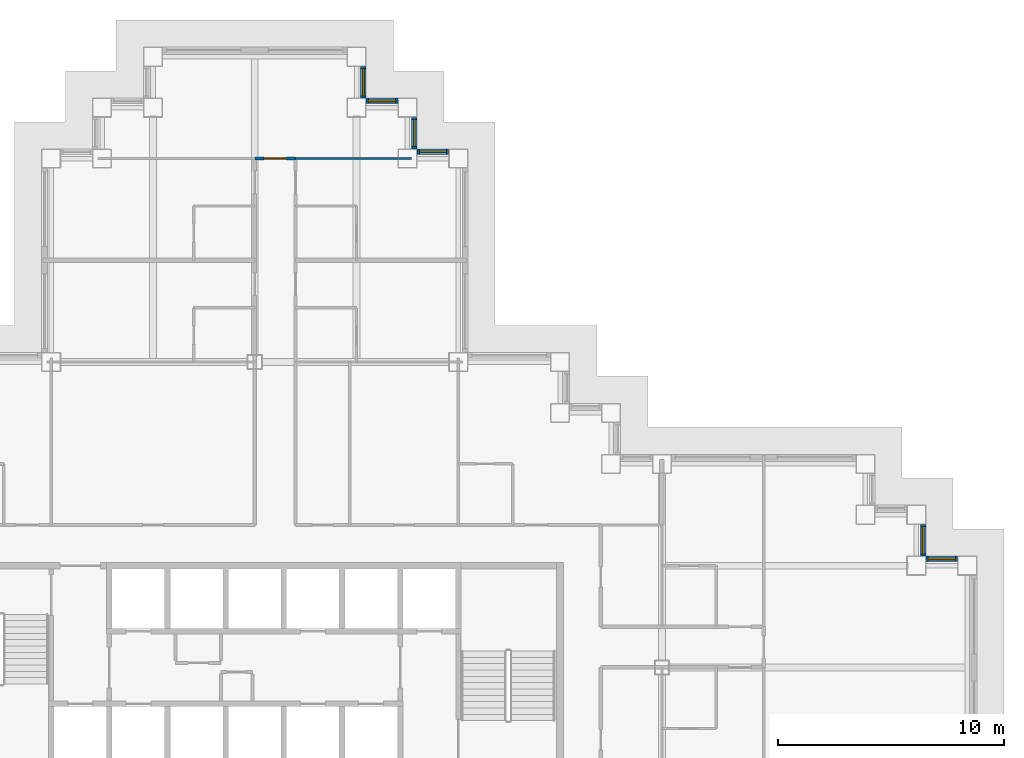
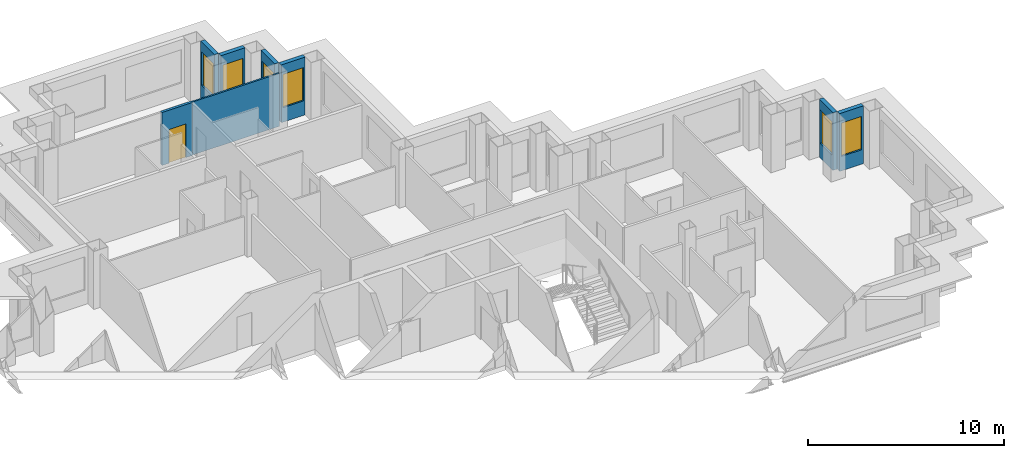
# One storey, part 11 of 16: 8 walls, 6 windows, 1 door, 7 openings.
"""IFC4 building model written with IfcOpenShell, lengths in metres."""

from ifc_helpers import new_model, si_unit, direction, frame, frame_2d, origin, place, context, subcontext, project, spatial, rectangle, extrude, material, layer, layer_set, type_object, element, fill, save


model = new_model("IFC4")

# Units and contexts
model_context = context("Model", 3, precision=1e-05, world=origin(), true_north=direction((0.0, 1.0)))
body_context = subcontext(model_context, "Body", "Model", "MODEL_VIEW")
ifc_project = project(units=[si_unit("LENGTHUNIT", "METRE"), si_unit("AREAUNIT", "SQUARE_METRE"), si_unit("VOLUMEUNIT", "CUBIC_METRE"), si_unit("PLANEANGLEUNIT", "RADIAN"), si_unit("MASSUNIT", "GRAM", prefix="KILO")], contexts=[model_context])

# Site, building, storey
site_placement = place(None, origin())
site = spatial("IfcSite", under=ifc_project, at=site_placement, CompositionType="ELEMENT")
building_placement = place(site_placement, origin())
building = spatial("IfcBuilding", under=site, at=building_placement, Name="Caravel Reach Hotel and Residences", CompositionType="ELEMENT")
storey_placement = place(building_placement, frame((0.0, 0.0, 133.199951171875)))
storey = spatial("IfcBuildingStorey", under=building, at=storey_placement, Name="L33", CompositionType="ELEMENT", Elevation=133.199951171875)

# Wall, opening, door
ifc_material_1 = material(Name="Gypsum board on steel stud, fire-rated", Category="steel")
ifc_layer_1 = layer(ifc_material_1, 0.14990234375)
ifc_layer_set_1 = layer_set([ifc_layer_1], Name="Corridor wall 150 mm EI 60")
wall_type_1 = type_object("IfcWallType", Name="Corridor wall 150 mm EI 60", PredefinedType="PARTITIONING", material=ifc_layer_set_1)
wall_1_placement = place(storey_placement, frame((31.5, 49.5, 0.0), z_axis=(0.0, 0.0, 1.0), x_axis=(1.0, 0.0, 0.0)))
wall_1 = element("IfcWall", 1, at=wall_1_placement, inside=storey, type_object=wall_type_1, Name="L33 wall w023", PredefinedType="PARTITIONING", context=body_context, shape_type="SweptSolid", body=[
    extrude(rectangle(XDim=1.800048828125, YDim=0.14990234375, at=frame_2d((0.89990234375, 0.0))), origin(), (0.0, 0.0, 1.0), 3.300048828125),
])
opening_1_placement = place(wall_1_placement, frame((0.39990234375, 0.0, 0.0)))
opening_1 = element("IfcOpeningElement", 2, at=opening_1_placement, cuts=wall_1, Name="Opening D33-045", PredefinedType="OPENING", context=body_context, shape_type="SweptSolid", body=[
    extrude(rectangle(XDim=1.0, YDim=2.10009765625, at=frame_2d((0.5, 1.050048828125))), frame((0.0, 0.0849609375, 0.0), z_axis=(0.0, -1.0, 0.0), x_axis=(1.0, 0.0, 0.0)), (0.0, 0.0, 1.0), 0.169921875),
])
ifc_material_2 = material(Name="Steel fire door leaf", Category="steel")
door_type = type_object("IfcDoorType", Name="Guest room door 1000 x 2100 EI 30", OperationType="SINGLE_SWING_LEFT", PredefinedType="DOOR", material=ifc_material_2)
door_placement = place(opening_1_placement, origin())
door = element("IfcDoor", 3, at=door_placement, inside=storey, type_object=door_type, Name="door D33-045", OperationType="SINGLE_SWING_LEFT", OverallHeight=2.10009765625, OverallWidth=1.0, PredefinedType="DOOR", context=body_context, shape_type="SweptSolid", body=[
    extrude(rectangle(XDim=1.0, YDim=2.10009765625, at=frame_2d((0.5, 1.050048828125))), frame((0.0, 0.02490234375, 0.0), z_axis=(0.0, -1.0, 0.0), x_axis=(1.0, 0.0, 0.0)), (0.0, 0.0, 1.0), 0.050048828125),
])
fill(opening_1, door)

# Wall, opening, window
ifc_material_3 = material(Name="Insulated rainscreen wall, aluminium cladding", Category="aluminium")
ifc_layer_2 = layer(ifc_material_3, 0.25)
ifc_layer_set_2 = layer_set([ifc_layer_2], Name="EW1 Tower rainscreen wall")
wall_type_2 = type_object("IfcWallType", Name="EW1 Tower rainscreen wall", PredefinedType="SOLIDWALL", material=ifc_layer_set_2)
wall_2_placement = place(storey_placement, frame((62.574951171875, 31.800048828125, 0.0), z_axis=(0.0, 0.0, 1.0), x_axis=(-1.0, 0.0, 0.0)))
wall_2 = element("IfcWall", 4, at=wall_2_placement, inside=storey, type_object=wall_type_2, Name="External wall L33 N21.1", PredefinedType="SOLIDWALL", context=body_context, shape_type="SweptSolid", body=[
    extrude(rectangle(XDim=1.39990234375, YDim=0.25, at=frame_2d((0.699951171875, 0.0))), origin(), (0.0, 0.0, 1.0), 3.60009765625),
])
opening_2_placement = place(wall_2_placement, frame((0.10009765625, 0.0, 0.89990234375)))
opening_2 = element("IfcOpeningElement", 5, at=opening_2_placement, cuts=wall_2, Name="Opening WN9", PredefinedType="OPENING", context=body_context, shape_type="SweptSolid", body=[
    extrude(rectangle(XDim=1.199951171875, YDim=2.080078125, at=frame_2d((0.60009765625, 1.0400390625))), frame((0.0, 0.135009765625, 0.0), z_axis=(0.0, -1.0, 0.0), x_axis=(1.0, 0.0, 0.0)), (0.0, 0.0, 1.0), 0.27001953125),
])
ifc_material_4 = material(Name="Dark low-e glazing in black aluminium frame", Category="aluminium")
window_type = type_object("IfcWindowType", Name="Hotel suite corner window 1200 x 2080", PartitioningType="SINGLE_PANEL", PredefinedType="WINDOW", material=ifc_material_4)
window_1_placement = place(opening_2_placement, origin())
window_1 = element("IfcWindow", 6, at=window_1_placement, inside=storey, type_object=window_type, Name="Window L33 N21.1.1", OverallHeight=2.080078125, OverallWidth=1.199951171875, PartitioningType="SINGLE_PANEL", PredefinedType="WINDOW", context=body_context, shape_type="SweptSolid", body=[
    extrude(rectangle(XDim=1.199951171875, YDim=2.080078125, at=frame_2d((0.60009765625, 1.0400390625))), frame((0.0, 0.030029296875, 0.0), z_axis=(0.0, -1.0, 0.0), x_axis=(1.0, 0.0, 0.0)), (0.0, 0.0, 1.0), 0.06005859375),
])
fill(opening_2, window_1)

wall_3_placement = place(storey_placement, frame((61.050048828125, 31.925048828125, 0.0), z_axis=(0.0, 0.0, 1.0), x_axis=(0.0, 1.0, 0.0)))
wall_3 = element("IfcWall", 7, at=wall_3_placement, inside=storey, type_object=wall_type_2, Name="External wall L33 E22.1", PredefinedType="SOLIDWALL", context=body_context, shape_type="SweptSolid", body=[
    extrude(rectangle(XDim=1.39990234375, YDim=0.25, at=frame_2d((0.699951171875, 0.0))), origin(), (0.0, 0.0, 1.0), 3.60009765625),
])
opening_3_placement = place(wall_3_placement, frame((0.10009765625, 0.0, 0.89990234375)))
opening_3 = element("IfcOpeningElement", 8, at=opening_3_placement, cuts=wall_3, Name="Opening WN9", PredefinedType="OPENING", context=body_context, shape_type="SweptSolid", body=[
    extrude(rectangle(XDim=1.199951171875, YDim=2.080078125, at=frame_2d((0.60009765625, 1.0400390625))), frame((0.0, 0.135009765625, 0.0), z_axis=(0.0, -1.0, 0.0), x_axis=(1.0, 0.0, 0.0)), (0.0, 0.0, 1.0), 0.27001953125),
])
window_2_placement = place(opening_3_placement, origin())
window_2 = element("IfcWindow", 9, at=window_2_placement, inside=storey, type_object=window_type, Name="Window L33 E22.1.1", OverallHeight=2.080078125, OverallWidth=1.199951171875, PartitioningType="SINGLE_PANEL", PredefinedType="WINDOW", context=body_context, shape_type="SweptSolid", body=[
    extrude(rectangle(XDim=1.199951171875, YDim=2.080078125, at=frame_2d((0.60009765625, 1.0400390625))), frame((0.0, 0.030029296875, 0.0), z_axis=(0.0, -1.0, 0.0), x_axis=(1.0, 0.0, 0.0)), (0.0, 0.0, 1.0), 0.06005859375),
])
fill(opening_3, window_2)

wall_4_placement = place(storey_placement, frame((40.074951171875, 49.800048828125, 0.0), z_axis=(0.0, 0.0, 1.0), x_axis=(-1.0, 0.0, 0.0)))
wall_4 = element("IfcWall", 10, at=wall_4_placement, inside=storey, type_object=wall_type_2, Name="External wall L33 N31.1", PredefinedType="SOLIDWALL", context=body_context, shape_type="SweptSolid", body=[
    extrude(rectangle(XDim=1.39990234375, YDim=0.25, at=frame_2d((0.699951171875, 0.0))), origin(), (0.0, 0.0, 1.0), 3.60009765625),
])
opening_4_placement = place(wall_4_placement, frame((0.10009765625, 0.0, 0.89990234375)))
opening_4 = element("IfcOpeningElement", 11, at=opening_4_placement, cuts=wall_4, Name="Opening WN9", PredefinedType="OPENING", context=body_context, shape_type="SweptSolid", body=[
    extrude(rectangle(XDim=1.199951171875, YDim=2.080078125, at=frame_2d((0.60009765625, 1.0400390625))), frame((0.0, 0.135009765625, 0.0), z_axis=(0.0, -1.0, 0.0), x_axis=(1.0, 0.0, 0.0)), (0.0, 0.0, 1.0), 0.27001953125),
])
window_3_placement = place(opening_4_placement, origin())
window_3 = element("IfcWindow", 12, at=window_3_placement, inside=storey, type_object=window_type, Name="Window L33 N31.1.1", OverallHeight=2.080078125, OverallWidth=1.199951171875, PartitioningType="SINGLE_PANEL", PredefinedType="WINDOW", context=body_context, shape_type="SweptSolid", body=[
    extrude(rectangle(XDim=1.199951171875, YDim=2.080078125, at=frame_2d((0.60009765625, 1.0400390625))), frame((0.0, 0.030029296875, 0.0), z_axis=(0.0, -1.0, 0.0), x_axis=(1.0, 0.0, 0.0)), (0.0, 0.0, 1.0), 0.06005859375),
])
fill(opening_4, window_3)

wall_5_placement = place(storey_placement, frame((38.550048828125, 49.925048828125, 0.0), z_axis=(0.0, 0.0, 1.0), x_axis=(0.0, 1.0, 0.0)))
wall_5 = element("IfcWall", 13, at=wall_5_placement, inside=storey, type_object=wall_type_2, Name="External wall L33 E32.1", PredefinedType="SOLIDWALL", context=body_context, shape_type="SweptSolid", body=[
    extrude(rectangle(XDim=1.39990234375, YDim=0.25, at=frame_2d((0.699951171875, 0.0))), origin(), (0.0, 0.0, 1.0), 3.60009765625),
])
opening_5_placement = place(wall_5_placement, frame((0.10009765625, 0.0, 0.89990234375)))
opening_5 = element("IfcOpeningElement", 14, at=opening_5_placement, cuts=wall_5, Name="Opening WN9", PredefinedType="OPENING", context=body_context, shape_type="SweptSolid", body=[
    extrude(rectangle(XDim=1.199951171875, YDim=2.080078125, at=frame_2d((0.60009765625, 1.0400390625))), frame((0.0, 0.135009765625, 0.0), z_axis=(0.0, -1.0, 0.0), x_axis=(1.0, 0.0, 0.0)), (0.0, 0.0, 1.0), 0.27001953125),
])
window_4_placement = place(opening_5_placement, origin())
window_4 = element("IfcWindow", 15, at=window_4_placement, inside=storey, type_object=window_type, Name="Window L33 E32.1.1", OverallHeight=2.080078125, OverallWidth=1.199951171875, PartitioningType="SINGLE_PANEL", PredefinedType="WINDOW", context=body_context, shape_type="SweptSolid", body=[
    extrude(rectangle(XDim=1.199951171875, YDim=2.080078125, at=frame_2d((0.60009765625, 1.0400390625))), frame((0.0, 0.030029296875, 0.0), z_axis=(0.0, -1.0, 0.0), x_axis=(1.0, 0.0, 0.0)), (0.0, 0.0, 1.0), 0.06005859375),
])
fill(opening_5, window_4)

wall_6_placement = place(storey_placement, frame((37.824951171875, 52.050048828125, 0.0), z_axis=(0.0, 0.0, 1.0), x_axis=(-1.0, 0.0, 0.0)))
wall_6 = element("IfcWall", 16, at=wall_6_placement, inside=storey, type_object=wall_type_2, Name="External wall L33 N33.1", PredefinedType="SOLIDWALL", context=body_context, shape_type="SweptSolid", body=[
    extrude(rectangle(XDim=1.39990234375, YDim=0.25, at=frame_2d((0.699951171875, 0.0))), origin(), (0.0, 0.0, 1.0), 3.60009765625),
])
opening_6_placement = place(wall_6_placement, frame((0.10009765625, 0.0, 0.89990234375)))
opening_6 = element("IfcOpeningElement", 17, at=opening_6_placement, cuts=wall_6, Name="Opening WN9", PredefinedType="OPENING", context=body_context, shape_type="SweptSolid", body=[
    extrude(rectangle(XDim=1.199951171875, YDim=2.080078125, at=frame_2d((0.60009765625, 1.0400390625))), frame((0.0, 0.135009765625, 0.0), z_axis=(0.0, -1.0, 0.0), x_axis=(1.0, 0.0, 0.0)), (0.0, 0.0, 1.0), 0.27001953125),
])
window_5_placement = place(opening_6_placement, origin())
window_5 = element("IfcWindow", 18, at=window_5_placement, inside=storey, type_object=window_type, Name="Window L33 N33.1.1", OverallHeight=2.080078125, OverallWidth=1.199951171875, PartitioningType="SINGLE_PANEL", PredefinedType="WINDOW", context=body_context, shape_type="SweptSolid", body=[
    extrude(rectangle(XDim=1.199951171875, YDim=2.080078125, at=frame_2d((0.60009765625, 1.0400390625))), frame((0.0, 0.030029296875, 0.0), z_axis=(0.0, -1.0, 0.0), x_axis=(1.0, 0.0, 0.0)), (0.0, 0.0, 1.0), 0.06005859375),
])
fill(opening_6, window_5)

wall_7_placement = place(storey_placement, frame((36.300048828125, 52.175048828125, 0.0), z_axis=(0.0, 0.0, 1.0), x_axis=(0.0, 1.0, 0.0)))
wall_7 = element("IfcWall", 19, at=wall_7_placement, inside=storey, type_object=wall_type_2, Name="External wall L33 E34.1", PredefinedType="SOLIDWALL", context=body_context, shape_type="SweptSolid", body=[
    extrude(rectangle(XDim=1.39990234375, YDim=0.25, at=frame_2d((0.699951171875, 0.0))), origin(), (0.0, 0.0, 1.0), 3.60009765625),
])
opening_7_placement = place(wall_7_placement, frame((0.10009765625, 0.0, 0.89990234375)))
opening_7 = element("IfcOpeningElement", 20, at=opening_7_placement, cuts=wall_7, Name="Opening WN9", PredefinedType="OPENING", context=body_context, shape_type="SweptSolid", body=[
    extrude(rectangle(XDim=1.199951171875, YDim=2.080078125, at=frame_2d((0.60009765625, 1.0400390625))), frame((0.0, 0.135009765625, 0.0), z_axis=(0.0, -1.0, 0.0), x_axis=(1.0, 0.0, 0.0)), (0.0, 0.0, 1.0), 0.27001953125),
])
window_6_placement = place(opening_7_placement, origin())
window_6 = element("IfcWindow", 21, at=window_6_placement, inside=storey, type_object=window_type, Name="Window L33 E34.1.1", OverallHeight=2.080078125, OverallWidth=1.199951171875, PartitioningType="SINGLE_PANEL", PredefinedType="WINDOW", context=body_context, shape_type="SweptSolid", body=[
    extrude(rectangle(XDim=1.199951171875, YDim=2.080078125, at=frame_2d((0.60009765625, 1.0400390625))), frame((0.0, 0.030029296875, 0.0), z_axis=(0.0, -1.0, 0.0), x_axis=(1.0, 0.0, 0.0)), (0.0, 0.0, 1.0), 0.06005859375),
])
fill(opening_7, window_6)

# Wall
ifc_material_5 = material(Name="Gypsum board on steel stud", Category="steel")
ifc_layer_3 = layer(ifc_material_5, 0.10009765625)
ifc_layer_set_3 = layer_set([ifc_layer_3], Name="Partition 100 mm")
wall_type_3 = type_object("IfcWallType", Name="Partition 100 mm", PredefinedType="PARTITIONING", material=ifc_layer_set_3)
wall_8_placement = place(storey_placement, frame((33.300048828125, 49.5, 0.0), z_axis=(0.0, 0.0, 1.0), x_axis=(1.0, 0.0, 0.0)))
element("IfcWall", 22, at=wall_8_placement, inside=storey, type_object=wall_type_3, Name="L33 wall w052", PredefinedType="PARTITIONING", context=body_context, shape_type="SweptSolid", body=[
    extrude(rectangle(XDim=5.139892578125, YDim=0.10009765625, at=frame_2d((2.56982421875, 0.0))), origin(), (0.0, 0.0, 1.0), 3.300048828125),
])

save(model, "model.ifc")
